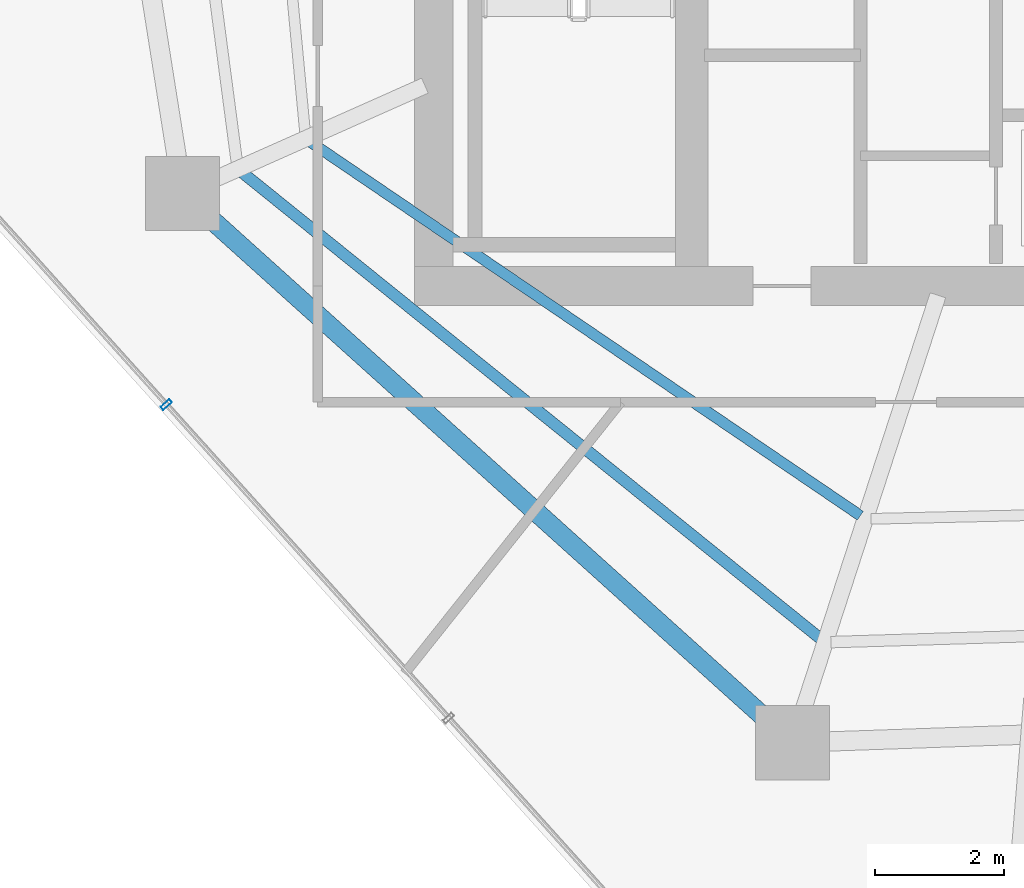
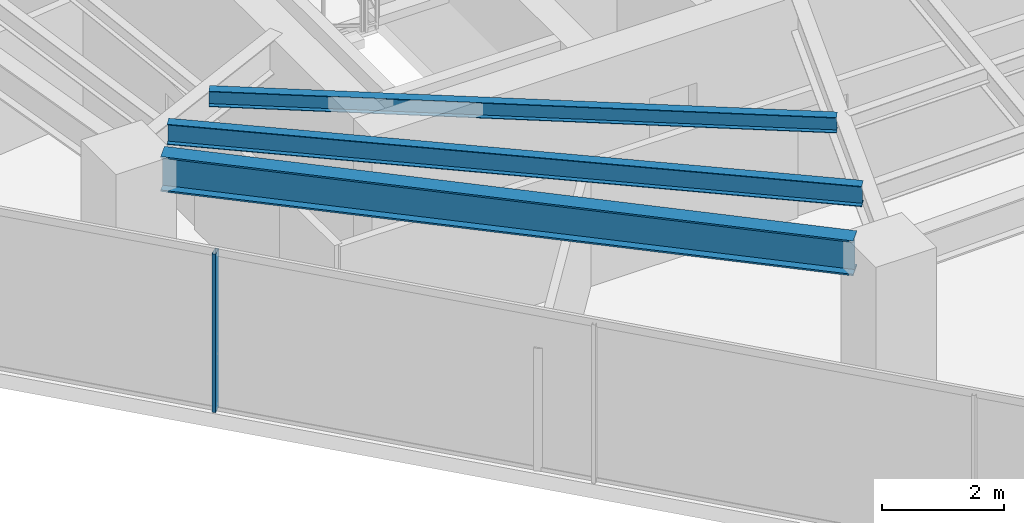
# One storey, part 4 of 27: 3 beams, 1 member, 1 element without a shape of its own.
"""IFC4 building model written with IfcOpenShell, lengths in metres."""

from ifc_helpers import new_model, si_unit, direction, frame, origin, origin_2d, place, context, subcontext, project, spatial, hollow_rectangle, i_section, extrude, material, layer, layer_set, material_profile, profile_set, type_object, element, aggregate, save


model = new_model("IFC4")

# Units and contexts
model_context = context("Model", 3, precision=1e-05, world=origin(), true_north=direction((0.0, 1.0)))
body_context = subcontext(model_context, "Body", "Model", "MODEL_VIEW")
ifc_project = project(units=[si_unit("LENGTHUNIT", "METRE"), si_unit("AREAUNIT", "SQUARE_METRE"), si_unit("VOLUMEUNIT", "CUBIC_METRE"), si_unit("PLANEANGLEUNIT", "RADIAN"), si_unit("MASSUNIT", "GRAM", prefix="KILO")], contexts=[model_context])

# Site, building, storey
site_placement = place(None, origin())
site = spatial("IfcSite", under=ifc_project, at=site_placement, CompositionType="ELEMENT")
building_placement = place(site_placement, origin())
building = spatial("IfcBuilding", under=site, at=building_placement, Name="Qarnah Convention Tower", CompositionType="ELEMENT")
storey_placement = place(building_placement, frame((0.0, 0.0, 110.85009765625)))
storey = spatial("IfcBuildingStorey", under=building, at=storey_placement, Name="L29", CompositionType="ELEMENT", Elevation=110.85009765625)

# Beams
ifc_material_1 = material(Name="Structural steel S355JR", Category="steel")
ifc_material_profile_1 = material_profile(ifc_material_1, i_section(OverallWidth=0.166015625, OverallDepth=0.31201171875, WebThickness=0.007080078125, FlangeThickness=0.010986328125, at=origin_2d()), Name="W310X45")
ifc_profile_set_1 = profile_set([ifc_material_profile_1], Name="Structural steel S355JR")
beam_type_1 = type_object("IfcBeamType", Name="BM-JST-W310", PredefinedType="JOIST", material=ifc_profile_set_1)
beam_1_placement = place(storey_placement, frame((24.886962890625, 20.833984375, 3.013916015625), z_axis=(0.827160221011, -0.561966163374, 0.0), x_axis=(0.561966163374, 0.827160221011, 0.0)))
element("IfcBeam", 1, at=beam_1_placement, inside=storey, type_object=beam_type_1, Name="L29 joist BM-L29-IJST-06", PredefinedType="JOIST", context=body_context, shape_type="SweptSolid", body=[
    extrude(i_section(OverallWidth=0.166015625, OverallDepth=0.31201171875, WebThickness=0.007080078125, FlangeThickness=0.010986328125, at=origin_2d()), origin(), (0.0, 0.0, 1.0), 10.313720703125),
])
ifc_material_profile_2 = material_profile(ifc_material_1, i_section(OverallWidth=0.177978515625, OverallDepth=0.407958984375, WebThickness=0.008056640625, FlangeThickness=0.012939453125, at=origin_2d()), Name="W410X60")
ifc_profile_set_2 = profile_set([ifc_material_profile_2], Name="Structural steel S355JR")
beam_type_2 = type_object("IfcBeamType", Name="BM-JST-W410", PredefinedType="JOIST", material=ifc_profile_set_2)
beam_2_placement = place(storey_placement, frame((23.830078125, 20.361083984375, 2.9658203125), z_axis=(0.77852525416, -0.627613279524, 0.0), x_axis=(0.627613279524, 0.77852525416, 0.0)))
element("IfcBeam", 2, at=beam_2_placement, inside=storey, type_object=beam_type_2, Name="L29 joist BM-L29-SJST-06", PredefinedType="JOIST", context=body_context, shape_type="SweptSolid", body=[
    extrude(i_section(OverallWidth=0.177978515625, OverallDepth=0.407958984375, WebThickness=0.008056640625, FlangeThickness=0.012939453125, at=origin_2d()), origin(), (0.0, 0.0, 1.0), 11.521728515625),
])
ifc_material_profile_3 = material_profile(ifc_material_1, i_section(OverallWidth=0.300048828125, OverallDepth=0.699951171875, WebThickness=0.01708984375, FlangeThickness=0.031982421875, at=origin_2d()), Name="HEB700")
ifc_profile_set_3 = profile_set([ifc_material_profile_3], Name="Structural steel S355JR")
beam_type_3 = type_object("IfcBeamType", Name="BM-RING-HEB700", PredefinedType="BEAM", material=ifc_profile_set_3)
beam_3_placement = place(storey_placement, frame((23.322998046875, 19.656982421875, 2.81982421875), z_axis=(0.743124603424, -0.669153064541, 0.0), x_axis=(0.669153064541, 0.743124603424, 0.0)))
element("IfcBeam", 3, at=beam_3_placement, inside=storey, type_object=beam_type_3, Name="L29 beam BM-L29-SPN-06", PredefinedType="BEAM", context=body_context, shape_type="SweptSolid", body=[
    extrude(i_section(OverallWidth=0.300048828125, OverallDepth=0.699951171875, WebThickness=0.01708984375, FlangeThickness=0.031982421875, at=origin_2d()), origin(), (0.0, 0.0, 1.0), 11.60107421875),
])

# Curtain wall, member
ifc_material_2 = material(Name="Tempered Low-E dark glass", Category="glass")
ifc_layer = layer(ifc_material_2, 0.169921875)
ifc_layer_set = layer_set([ifc_layer], Name="Tempered Low-E dark glass")
curtain_wall_type = type_object("IfcCurtainWallType", Name="CWS-02", PredefinedType="NOTDEFINED", material=ifc_layer_set)
curtain_wall_placement = place(storey_placement, origin())
curtain_wall = element("IfcCurtainWall", 4, at=curtain_wall_placement, inside=storey, type_object=curtain_wall_type, Name="L29 unitised curtain wall CW-L29-F3", PredefinedType="NOTDEFINED")
ifc_material_3 = material(Name="Black anodised aluminium", Category="aluminium")
ifc_material_profile_4 = material_profile(ifc_material_3, hollow_rectangle(XDim=0.06494140625, YDim=0.179931640625, WallThickness=0.00390625, at=origin_2d()), Name="MUL-65X180")
ifc_profile_set_4 = profile_set([ifc_material_profile_4], Name="Black anodised aluminium")
member_type = type_object("IfcMemberType", Name="MUL-T2", PredefinedType="MULLION", material=ifc_profile_set_4)
member_placement = place(storey_placement, frame((22.6513671875, 16.7607421875, 0.0), z_axis=(0.0, 0.0, 1.0), x_axis=(-0.669121773521, 0.743152778505, 0.0)))
member = element("IfcMember", 5, at=member_placement, type_object=member_type, Name="CW-L29-F3 mullion 4", PredefinedType="MULLION", context=body_context, shape_type="SweptSolid", body=[
    extrude(hollow_rectangle(XDim=0.06494140625, YDim=0.179931640625, WallThickness=0.00390625, at=origin_2d()), origin(), (0.0, 0.0, 1.0), 3.169921875),
])
aggregate(curtain_wall, [member])

save(model, "model.ifc")
